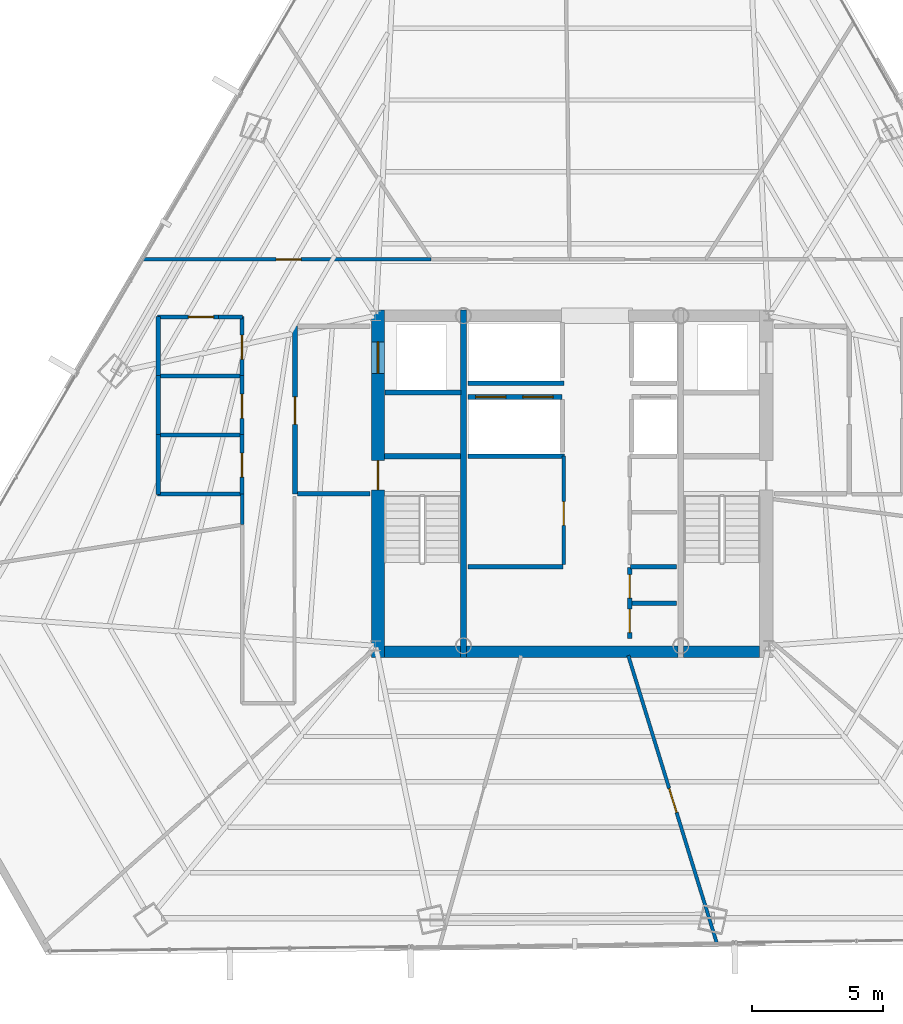
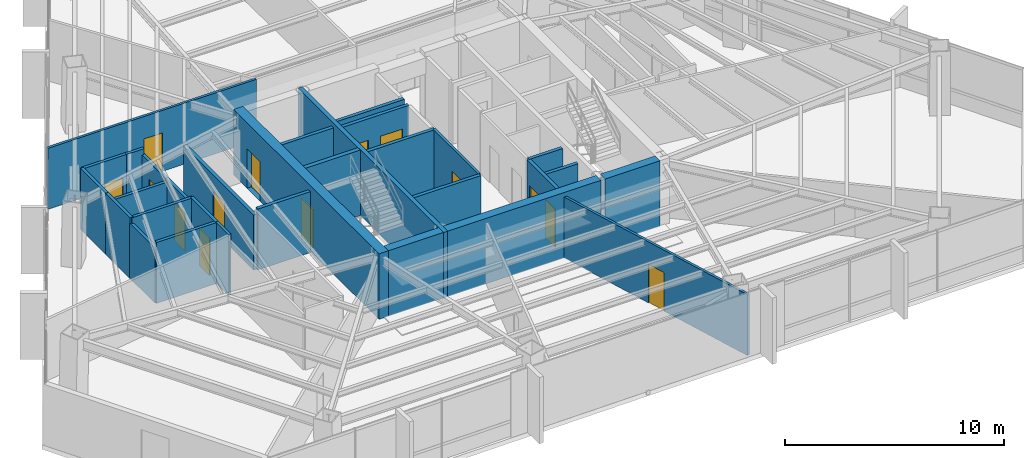
# One storey, part 36 of 41: 31 walls, 14 doors, 14 openings.
"""IFC4 building model written with IfcOpenShell, lengths in metres."""

from ifc_helpers import new_model, si_unit, direction, frame, frame_2d, origin, place, context, subcontext, project, spatial, rectangle, extrude, material, layer, layer_set, type_object, element, fill, save


model = new_model("IFC4")

# Units and contexts
model_context = context("Model", 3, precision=1e-05, world=origin(), true_north=direction((0.0, 1.0)))
body_context = subcontext(model_context, "Body", "Model", "MODEL_VIEW")
ifc_project = project(units=[si_unit("LENGTHUNIT", "METRE"), si_unit("AREAUNIT", "SQUARE_METRE"), si_unit("VOLUMEUNIT", "CUBIC_METRE"), si_unit("PLANEANGLEUNIT", "RADIAN"), si_unit("MASSUNIT", "GRAM", prefix="KILO")], contexts=[model_context])

# Site, building, storey
site_placement = place(None, origin())
site = spatial("IfcSite", under=ifc_project, at=site_placement, CompositionType="ELEMENT")
building_placement = place(site_placement, origin())
building = spatial("IfcBuilding", under=site, at=building_placement, Name="Caelisora Broadcast Tower", CompositionType="ELEMENT")
storey_placement = place(building_placement, frame((0.0, 0.0, 135.449951171875)))
storey = spatial("IfcBuildingStorey", under=building, at=storey_placement, Name="L35", CompositionType="ELEMENT", Elevation=135.449951171875)

# Wall, openings, doors
ifc_material_1 = material(Name="Concrete 50 MPa (AS 3600 S50)", Category="concrete")
ifc_layer_1 = layer(ifc_material_1, 0.5, Name="Concrete 50 MPa (AS 3600 S50)")
ifc_layer_set_1 = layer_set([ifc_layer_1], Name="Concrete 50 MPa (AS 3600 S50)")
wall_type_1 = type_object("IfcWallType", Name="CW2", PredefinedType="SHEAR", material=ifc_layer_set_1)
wall_1_placement = place(storey_placement, frame((30.590087890625, 16.949951171875, 0.0), z_axis=(0.0, 0.0, 1.0), x_axis=(0.0, 1.0, 0.0)))
wall_1 = element("IfcWall", 1, at=wall_1_placement, inside=storey, type_object=wall_type_1, Name="L35 core shear wall CW2", PredefinedType="SHEAR", context=body_context, shape_type="SweptSolid", body=[
    extrude(rectangle(XDim=13.275146484375, YDim=0.5, at=frame_2d((6.6376953125, 0.0))), origin(), (0.0, 0.0, 1.0), 3.650146484375),
])
opening_1_placement = place(wall_1_placement, frame((6.39990234375, 0.0, 0.0)))
opening_1 = element("IfcOpeningElement", 2, at=opening_1_placement, cuts=wall_1, Name="Opening FD04", PredefinedType="OPENING", context=body_context, shape_type="SweptSolid", body=[
    extrude(rectangle(XDim=1.1201171875, YDim=2.14990234375, at=frame_2d((0.56005859375, 1.074951171875))), frame((0.0, 0.261962890625, 0.0), z_axis=(0.0, -1.0, 0.0), x_axis=(1.0, 0.0, 0.0)), (0.0, 0.0, 1.0), 0.52392578125),
])
opening_2_placement = place(wall_1_placement, frame((10.85009765625, 0.0, 0.0)))
opening_2 = element("IfcOpeningElement", 3, at=opening_2_placement, cuts=wall_1, Name="Opening LD04", PredefinedType="OPENING", context=body_context, shape_type="SweptSolid", body=[
    extrude(rectangle(XDim=1.199951171875, YDim=2.199951171875, at=frame_2d((0.60009765625, 1.10009765625))), frame((0.0, 0.261962890625, 0.0), z_axis=(0.0, -1.0, 0.0), x_axis=(1.0, 0.0, 0.0)), (0.0, 0.0, 1.0), 0.52392578125),
])
ifc_material_2 = material(Name="Pressurised Fire-Isolated Stair Door", Category="steel")
door_type_1 = type_object("IfcDoorType", Name="FD04", OperationType="NOTDEFINED", PredefinedType="DOOR", material=ifc_material_2)
door_1_placement = place(opening_1_placement, origin())
door_1 = element("IfcDoor", 4, at=door_1_placement, inside=storey, type_object=door_type_1, Name="L35 door FD04 (L35-DR-ST1)", OperationType="SINGLE_SWING_LEFT", OverallHeight=2.14990234375, OverallWidth=1.1201171875, PredefinedType="DOOR", context=body_context, shape_type="SweptSolid", body=[
    extrude(rectangle(XDim=1.1201171875, YDim=2.14990234375, at=frame_2d((0.56005859375, 1.074951171875))), frame((0.0, 0.02490234375, 0.0), z_axis=(0.0, -1.0, 0.0), x_axis=(1.0, 0.0, 0.0)), (0.0, 0.0, 1.0), 0.050048828125),
])
fill(opening_1, door_1)
ifc_material_3 = material(Name="Emergency Firefighting Lift Sliding Landing Door", Category="steel")
door_type_2 = type_object("IfcDoorType", Name="LD04", OperationType="NOTDEFINED", PredefinedType="DOOR", material=ifc_material_3)
door_2_placement = place(opening_2_placement, origin())
door_2 = element("IfcDoor", 5, at=door_2_placement, inside=storey, type_object=door_type_2, Name="L35 door LD04 (L35-LD-FFL1)", OperationType="SLIDING_TO_LEFT", OverallHeight=2.199951171875, OverallWidth=1.199951171875, PredefinedType="DOOR", context=body_context, shape_type="SweptSolid", body=[
    extrude(rectangle(XDim=1.199951171875, YDim=2.199951171875, at=frame_2d((0.60009765625, 1.10009765625))), frame((0.0, 0.02490234375, 0.0), z_axis=(0.0, -1.0, 0.0), x_axis=(1.0, 0.0, 0.0)), (0.0, 0.0, 1.0), 0.050048828125),
])
fill(opening_2, door_2)

# Walls
ifc_layer_2 = layer(ifc_material_1, 0.449951171875, Name="Concrete 50 MPa (AS 3600 S50)")
ifc_layer_set_2 = layer_set([ifc_layer_2], Name="Concrete 50 MPa (AS 3600 S50)")
wall_type_2 = type_object("IfcWallType", Name="CW5", PredefinedType="SHEAR", material=ifc_layer_set_2)
wall_2_placement = place(storey_placement, frame((30.840087890625, 17.175048828125, 0.0), z_axis=(0.0, 0.0, 1.0), x_axis=(1.0, 0.0, 0.0)))
element("IfcWall", 6, at=wall_2_placement, inside=storey, type_object=wall_type_2, Name="L35 core shear wall CW5", PredefinedType="SHEAR", context=body_context, shape_type="SweptSolid", body=[
    extrude(rectangle(XDim=2.89990234375, YDim=0.449951171875, at=frame_2d((1.449951171875, 0.0))), origin(), (0.0, 0.0, 1.0), 3.650146484375),
])
wall_3_placement = place(storey_placement, frame((33.9599609375, 17.175048828125, 0.0), z_axis=(0.0, 0.0, 1.0), x_axis=(1.0, 0.0, 0.0)))
element("IfcWall", 7, at=wall_3_placement, inside=storey, type_object=wall_type_2, Name="L35 core shear wall CW5", PredefinedType="SHEAR", context=body_context, shape_type="SweptSolid", body=[
    extrude(rectangle(XDim=8.080078125, YDim=0.449951171875, at=frame_2d((4.0400390625, 0.0))), origin(), (0.0, 0.0, 1.0), 3.650146484375),
])
wall_4_placement = place(storey_placement, frame((42.260009765625, 17.175048828125, 0.0), z_axis=(0.0, 0.0, 1.0), x_axis=(1.0, 0.0, 0.0)))
element("IfcWall", 8, at=wall_4_placement, inside=storey, type_object=wall_type_2, Name="L35 core shear wall CW5", PredefinedType="SHEAR", context=body_context, shape_type="SweptSolid", body=[
    extrude(rectangle(XDim=2.89990234375, YDim=0.449951171875, at=frame_2d((1.449951171875, 0.0))), origin(), (0.0, 0.0, 1.0), 3.650146484375),
])
ifc_layer_3 = layer(ifc_material_1, 0.219970703125, Name="Concrete 50 MPa (AS 3600 S50)")
ifc_layer_set_3 = layer_set([ifc_layer_3], Name="Concrete 50 MPa (AS 3600 S50)")
wall_type_3 = type_object("IfcWallType", Name="CW7", PredefinedType="SHEAR", material=ifc_layer_set_3)
wall_5_placement = place(storey_placement, frame((33.85009765625, 16.949951171875, 0.0), z_axis=(0.0, 0.0, 1.0), x_axis=(0.0, 1.0, 0.0)))
element("IfcWall", 9, at=wall_5_placement, inside=storey, type_object=wall_type_3, Name="L35 core shear wall CW7", PredefinedType="SHEAR", context=body_context, shape_type="SweptSolid", body=[
    extrude(rectangle(XDim=13.275146484375, YDim=0.219970703125, at=frame_2d((6.6376953125, 0.0))), origin(), (0.0, 0.0, 1.0), 3.650146484375),
])
wall_6_placement = place(storey_placement, frame((30.840087890625, 24.639892578125, 0.0), z_axis=(0.0, 0.0, 1.0), x_axis=(1.0, 0.0, 0.0)))
element("IfcWall", 10, at=wall_6_placement, inside=storey, type_object=wall_type_3, Name="L35 core shear wall CW7", PredefinedType="SHEAR", context=body_context, shape_type="SweptSolid", body=[
    extrude(rectangle(XDim=2.89990234375, YDim=0.219970703125, at=frame_2d((1.449951171875, 0.0))), origin(), (0.0, 0.0, 1.0), 3.650146484375),
])

# Wall, openings, doors
ifc_material_4 = material(Name="Fire-Rated Gypsum Shaft and Compartment Wall", Category="gypsum")
ifc_layer_4 = layer(ifc_material_4, 0.179931640625, Name="Fire-Rated Gypsum Shaft and Compartment Wall")
ifc_layer_set_4 = layer_set([ifc_layer_4], Name="Fire-Rated Gypsum Shaft and Compartment Wall")
wall_type_4 = type_object("IfcWallType", Name="PW2", PredefinedType="PARTITIONING", material=ifc_layer_set_4)
wall_7_placement = place(storey_placement, frame((34.02001953125, 26.89990234375, 0.0), z_axis=(0.0, 0.0, 1.0), x_axis=(1.0, 0.0, 0.0)))
wall_7 = element("IfcWall", 11, at=wall_7_placement, inside=storey, type_object=wall_type_4, Name="L35 fire compartment wall PW2", PredefinedType="PARTITIONING", context=body_context, shape_type="SweptSolid", body=[
    extrude(rectangle(XDim=3.60009765625, YDim=0.179931640625, at=frame_2d((1.800048828125, 0.0))), origin(), (0.0, 0.0, 1.0), 3.400146484375),
])
opening_3_placement = place(wall_7_placement, frame((0.300048828125, 0.0, 0.0)))
opening_3 = element("IfcOpeningElement", 12, at=opening_3_placement, cuts=wall_7, Name="Opening LD02", PredefinedType="OPENING", context=body_context, shape_type="SweptSolid", body=[
    extrude(rectangle(XDim=1.14990234375, YDim=2.199951171875, at=frame_2d((0.574951171875, 1.10009765625))), frame((0.0, 0.10205078125, 0.0), z_axis=(0.0, -1.0, 0.0), x_axis=(1.0, 0.0, 0.0)), (0.0, 0.0, 1.0), 0.203857421875),
])
opening_4_placement = place(wall_7_placement, frame((2.10009765625, 0.0, 0.0)))
opening_4 = element("IfcOpeningElement", 13, at=opening_4_placement, cuts=wall_7, Name="Opening LD02", PredefinedType="OPENING", context=body_context, shape_type="SweptSolid", body=[
    extrude(rectangle(XDim=1.14990234375, YDim=2.199951171875, at=frame_2d((0.574951171875, 1.10009765625))), frame((0.0, 0.10205078125, 0.0), z_axis=(0.0, -1.0, 0.0), x_axis=(1.0, 0.0, 0.0)), (0.0, 0.0, 1.0), 0.203857421875),
])
ifc_material_5 = material(Name="High-Speed Express Lift Sliding Landing Door", Category="steel")
door_type_3 = type_object("IfcDoorType", Name="LD02", OperationType="NOTDEFINED", PredefinedType="DOOR", material=ifc_material_5)
door_3_placement = place(opening_3_placement, origin())
door_3 = element("IfcDoor", 14, at=door_3_placement, inside=storey, type_object=door_type_3, Name="L35 door LD02 (L35-LD-PLM1)", OperationType="SLIDING_TO_LEFT", OverallHeight=2.199951171875, OverallWidth=1.14990234375, PredefinedType="DOOR", context=body_context, shape_type="SweptSolid", body=[
    extrude(rectangle(XDim=1.14990234375, YDim=2.199951171875, at=frame_2d((0.574951171875, 1.10009765625))), frame((0.0, 0.02490234375, 0.0), z_axis=(0.0, -1.0, 0.0), x_axis=(1.0, 0.0, 0.0)), (0.0, 0.0, 1.0), 0.050048828125),
])
fill(opening_3, door_3)
door_4_placement = place(opening_4_placement, origin())
door_4 = element("IfcDoor", 15, at=door_4_placement, inside=storey, type_object=door_type_3, Name="L35 door LD02 (L35-LD-PLM2)", OperationType="SLIDING_TO_RIGHT", OverallHeight=2.199951171875, OverallWidth=1.14990234375, PredefinedType="DOOR", context=body_context, shape_type="SweptSolid", body=[
    extrude(rectangle(XDim=1.14990234375, YDim=2.199951171875, at=frame_2d((0.574951171875, 1.10009765625))), frame((0.0, 0.02490234375, 0.0), z_axis=(0.0, -1.0, 0.0), x_axis=(1.0, 0.0, 0.0)), (0.0, 0.0, 1.0), 0.050048828125),
])
fill(opening_4, door_4)

# Walls
wall_8_placement = place(storey_placement, frame((34.02001953125, 24.639892578125, 0.0), z_axis=(0.0, 0.0, 1.0), x_axis=(1.0, 0.0, 0.0)))
element("IfcWall", 16, at=wall_8_placement, inside=storey, type_object=wall_type_4, Name="L35 fire compartment wall PW2", PredefinedType="PARTITIONING", context=body_context, shape_type="SweptSolid", body=[
    extrude(rectangle(XDim=3.679931640625, YDim=0.179931640625, at=frame_2d((1.83984375, 0.0))), origin(), (0.0, 0.0, 1.0), 3.400146484375),
])
wall_9_placement = place(storey_placement, frame((34.02001953125, 27.419921875, 0.0), z_axis=(0.0, 0.0, 1.0), x_axis=(1.0, 0.0, 0.0)))
element("IfcWall", 17, at=wall_9_placement, inside=storey, type_object=wall_type_4, Name="L35 fire compartment wall PW2", PredefinedType="PARTITIONING", context=body_context, shape_type="SweptSolid", body=[
    extrude(rectangle(XDim=3.659912109375, YDim=0.179931640625, at=frame_2d((1.830078125, 0.0))), origin(), (0.0, 0.0, 1.0), 3.400146484375),
])

# Wall, opening, door
wall_10_placement = place(storey_placement, frame((27.419921875, 23.199951171875, 0.0), z_axis=(0.0, 0.0, 1.0), x_axis=(0.0, 1.0, 0.0)))
wall_10 = element("IfcWall", 18, at=wall_10_placement, inside=storey, type_object=wall_type_4, Name="L35 fire compartment wall PW2", PredefinedType="PARTITIONING", context=body_context, shape_type="SweptSolid", body=[
    extrude(rectangle(XDim=6.400146484375, YDim=0.179931640625, at=frame_2d((3.2001953125, 0.0))), origin(), (0.0, 0.0, 1.0), 3.077880859375),
])
opening_5_placement = place(wall_10_placement, frame((2.64990234375, 0.0, 0.0)))
opening_5 = element("IfcOpeningElement", 19, at=opening_5_placement, cuts=wall_10, Name="Opening FD02", PredefinedType="OPENING", context=body_context, shape_type="SweptSolid", body=[
    extrude(rectangle(XDim=1.050048828125, YDim=2.14990234375, at=frame_2d((0.52490234375, 1.074951171875))), frame((0.0, 0.10205078125, 0.0), z_axis=(0.0, -1.0, 0.0), x_axis=(1.0, 0.0, 0.0)), (0.0, 0.0, 1.0), 0.203857421875),
])
ifc_material_6 = material(Name="Single-Leaf Steel Fire Lobby Door", Category="steel")
door_type_4 = type_object("IfcDoorType", Name="FD02", OperationType="NOTDEFINED", PredefinedType="DOOR", material=ifc_material_6)
door_5_placement = place(opening_5_placement, origin())
door_5 = element("IfcDoor", 20, at=door_5_placement, inside=storey, type_object=door_type_4, Name="L35 door FD02 (L35-DR-P01D1)", OperationType="SINGLE_SWING_RIGHT", OverallHeight=2.14990234375, OverallWidth=1.050048828125, PredefinedType="DOOR", context=body_context, shape_type="SweptSolid", body=[
    extrude(rectangle(XDim=1.050048828125, YDim=2.14990234375, at=frame_2d((0.52490234375, 1.074951171875))), frame((0.0, 0.02490234375, 0.0), z_axis=(0.0, -1.0, 0.0), x_axis=(1.0, 0.0, 0.0)), (0.0, 0.0, 1.0), 0.050048828125),
])
fill(opening_5, door_5)

# Walls
wall_11_placement = place(storey_placement, frame((27.52001953125, 23.199951171875, 0.0), z_axis=(0.0, 0.0, 1.0), x_axis=(1.0, 0.0, 0.0)))
element("IfcWall", 21, at=wall_11_placement, inside=storey, type_object=wall_type_4, Name="L35 fire compartment wall PW2", PredefinedType="PARTITIONING", context=body_context, shape_type="SweptSolid", body=[
    extrude(rectangle(XDim=2.760009765625, YDim=0.179931640625, at=frame_2d((1.3798828125, 0.0))), origin(), (0.0, 0.0, 1.0), 3.400146484375),
])
wall_12_placement = place(storey_placement, frame((30.860107421875, 27.070068359375, 0.0), z_axis=(0.0, 0.0, 1.0), x_axis=(1.0, 0.0, 0.0)))
element("IfcWall", 22, at=wall_12_placement, inside=storey, type_object=wall_type_4, Name="L35 fire compartment wall PW2", PredefinedType="PARTITIONING", context=body_context, shape_type="SweptSolid", body=[
    extrude(rectangle(XDim=2.89990234375, YDim=0.179931640625, at=frame_2d((1.449951171875, 0.0))), origin(), (0.0, 0.0, 1.0), 3.400146484375),
])
wall_13_placement = place(storey_placement, frame((34.02001953125, 20.419921875, 0.0), z_axis=(0.0, 0.0, 1.0), x_axis=(1.0, 0.0, 0.0)))
element("IfcWall", 23, at=wall_13_placement, inside=storey, type_object=wall_type_4, Name="L35 fire compartment wall PW2", PredefinedType="PARTITIONING", context=body_context, shape_type="SweptSolid", body=[
    extrude(rectangle(XDim=3.639892578125, YDim=0.179931640625, at=frame_2d((1.81982421875, 0.0))), origin(), (0.0, 0.0, 1.0), 3.400146484375),
])
wall_14_placement = place(storey_placement, frame((40.219970703125, 20.419921875, 0.0), z_axis=(0.0, 0.0, 1.0), x_axis=(1.0, 0.0, 0.0)))
element("IfcWall", 24, at=wall_14_placement, inside=storey, type_object=wall_type_4, Name="L35 fire compartment wall PW2", PredefinedType="PARTITIONING", context=body_context, shape_type="SweptSolid", body=[
    extrude(rectangle(XDim=1.760009765625, YDim=0.179931640625, at=frame_2d((0.8798828125, 0.0))), origin(), (0.0, 0.0, 1.0), 3.400146484375),
])
wall_15_placement = place(storey_placement, frame((40.280029296875, 19.02001953125, 0.0), z_axis=(0.0, 0.0, 1.0), x_axis=(1.0, 0.0, 0.0)))
element("IfcWall", 25, at=wall_15_placement, inside=storey, type_object=wall_type_4, Name="L35 fire compartment wall PW2", PredefinedType="PARTITIONING", context=body_context, shape_type="SweptSolid", body=[
    extrude(rectangle(XDim=1.699951171875, YDim=0.179931640625, at=frame_2d((0.85009765625, 0.0))), origin(), (0.0, 0.0, 1.0), 3.400146484375),
])

# Wall, openings, doors
wall_16_placement = place(storey_placement, frame((40.199951171875, 17.679931640625, 0.0), z_axis=(0.0, 0.0, 1.0), x_axis=(0.0, 1.0, 0.0)))
wall_16 = element("IfcWall", 26, at=wall_16_placement, inside=storey, type_object=wall_type_4, Name="L35 fire compartment wall PW2", PredefinedType="PARTITIONING", context=body_context, shape_type="SweptSolid", body=[
    extrude(rectangle(XDim=2.699951171875, YDim=0.179931640625, at=frame_2d((1.35009765625, 0.0))), origin(), (0.0, 0.0, 1.0), 3.400146484375),
])
opening_6_placement = place(wall_16_placement, frame((0.219970703125, 0.0, 0.0)))
opening_6 = element("IfcOpeningElement", 27, at=opening_6_placement, cuts=wall_16, Name="Opening FD03", PredefinedType="OPENING", context=body_context, shape_type="SweptSolid", body=[
    extrude(rectangle(XDim=0.89990234375, YDim=2.10009765625, at=frame_2d((0.449951171875, 1.050048828125))), frame((0.0, 0.10205078125, 0.0), z_axis=(0.0, -1.0, 0.0), x_axis=(1.0, 0.0, 0.0)), (0.0, 0.0, 1.0), 0.203857421875),
])
opening_7_placement = place(wall_16_placement, frame((1.5400390625, 0.0, 0.0)))
opening_7 = element("IfcOpeningElement", 28, at=opening_7_placement, cuts=wall_16, Name="Opening FD03", PredefinedType="OPENING", context=body_context, shape_type="SweptSolid", body=[
    extrude(rectangle(XDim=0.89990234375, YDim=2.10009765625, at=frame_2d((0.449951171875, 1.050048828125))), frame((0.0, 0.10205078125, 0.0), z_axis=(0.0, -1.0, 0.0), x_axis=(1.0, 0.0, 0.0)), (0.0, 0.0, 1.0), 0.203857421875),
])
ifc_material_7 = material(Name="Single-Leaf Steel Riser Fire Access Door", Category="steel")
door_type_5 = type_object("IfcDoorType", Name="FD03", OperationType="NOTDEFINED", PredefinedType="DOOR", material=ifc_material_7)
door_6_placement = place(opening_6_placement, origin())
door_6 = element("IfcDoor", 29, at=door_6_placement, inside=storey, type_object=door_type_5, Name="L35 door FD03 (L35-DR-P15D1)", OperationType="SINGLE_SWING_LEFT", OverallHeight=2.10009765625, OverallWidth=0.89990234375, PredefinedType="DOOR", context=body_context, shape_type="SweptSolid", body=[
    extrude(rectangle(XDim=0.89990234375, YDim=2.10009765625, at=frame_2d((0.449951171875, 1.050048828125))), frame((0.0, 0.02490234375, 0.0), z_axis=(0.0, -1.0, 0.0), x_axis=(1.0, 0.0, 0.0)), (0.0, 0.0, 1.0), 0.050048828125),
])
fill(opening_6, door_6)
door_7_placement = place(opening_7_placement, origin())
door_7 = element("IfcDoor", 30, at=door_7_placement, inside=storey, type_object=door_type_5, Name="L35 door FD03 (L35-DR-P15D2)", OperationType="SINGLE_SWING_RIGHT", OverallHeight=2.10009765625, OverallWidth=0.89990234375, PredefinedType="DOOR", context=body_context, shape_type="SweptSolid", body=[
    extrude(rectangle(XDim=0.89990234375, YDim=2.10009765625, at=frame_2d((0.449951171875, 1.050048828125))), frame((0.0, 0.02490234375, 0.0), z_axis=(0.0, -1.0, 0.0), x_axis=(1.0, 0.0, 0.0)), (0.0, 0.0, 1.0), 0.050048828125),
])
fill(opening_7, door_7)

# Wall, opening, door
ifc_material_8 = material(Name="Acoustic Steel-Stud Plasterboard Partition", Category="gypsum")
ifc_layer_5 = layer(ifc_material_8, 0.1298828125, Name="Acoustic Steel-Stud Plasterboard Partition")
ifc_layer_set_5 = layer_set([ifc_layer_5], Name="Acoustic Steel-Stud Plasterboard Partition")
wall_type_5 = type_object("IfcWallType", Name="PW3", PredefinedType="PARTITIONING", material=ifc_layer_set_5)
wall_17_placement = place(storey_placement, frame((37.679931640625, 20.5, 0.0), z_axis=(0.0, 0.0, 1.0), x_axis=(0.0, 1.0, 0.0)))
wall_17 = element("IfcWall", 31, at=wall_17_placement, inside=storey, type_object=wall_type_5, Name="L35 internal partition PW3", PredefinedType="PARTITIONING", context=body_context, shape_type="SweptSolid", body=[
    extrude(rectangle(XDim=4.139892578125, YDim=0.1298828125, at=frame_2d((2.06982421875, 0.0))), origin(), (0.0, 0.0, 1.0), 3.400146484375),
])
opening_8_placement = place(wall_17_placement, frame((1.5, 0.0, 0.0)))
opening_8 = element("IfcOpeningElement", 32, at=opening_8_placement, cuts=wall_17, Name="Opening FD03", PredefinedType="OPENING", context=body_context, shape_type="SweptSolid", body=[
    extrude(rectangle(XDim=0.89990234375, YDim=2.10009765625, at=frame_2d((0.449951171875, 1.050048828125))), frame((0.0, 0.076904296875, 0.0), z_axis=(0.0, -1.0, 0.0), x_axis=(1.0, 0.0, 0.0)), (0.0, 0.0, 1.0), 0.15380859375),
])
door_8_placement = place(opening_8_placement, origin())
door_8 = element("IfcDoor", 33, at=door_8_placement, inside=storey, type_object=door_type_5, Name="L35 door FD03 (L35-DR-P12D1)", OperationType="SINGLE_SWING_RIGHT", OverallHeight=2.10009765625, OverallWidth=0.89990234375, PredefinedType="DOOR", context=body_context, shape_type="SweptSolid", body=[
    extrude(rectangle(XDim=0.89990234375, YDim=2.10009765625, at=frame_2d((0.449951171875, 1.050048828125))), frame((0.0, 0.02490234375, 0.0), z_axis=(0.0, -1.0, 0.0), x_axis=(1.0, 0.0, 0.0)), (0.0, 0.0, 1.0), 0.050048828125),
])
fill(opening_8, door_8)

wall_18_placement = place(storey_placement, frame((40.14208984375, 17.028076171875, 0.0), z_axis=(0.0, 0.0, 1.0), x_axis=(0.294275666781, -0.955720582566, 0.0)))
wall_18 = element("IfcWall", 34, at=wall_18_placement, inside=storey, type_object=wall_type_5, Name="L35 internal partition PW3", PredefinedType="PARTITIONING", context=body_context, shape_type="SweptSolid", body=[
    extrude(rectangle(XDim=11.47802734375, YDim=0.1298828125, at=frame_2d((5.739013671875, 0.0))), origin(), (0.0, 0.0, 1.0), 3.400146484375),
])
opening_9_placement = place(wall_18_placement, frame((5.31005859375, 0.0, 0.0)))
opening_9 = element("IfcOpeningElement", 35, at=opening_9_placement, cuts=wall_18, Name="Opening D01", PredefinedType="OPENING", context=body_context, shape_type="SweptSolid", body=[
    extrude(rectangle(XDim=0.9599609375, YDim=2.14990234375, at=frame_2d((0.47998046875, 1.074951171875))), frame((0.0, 0.076904296875, 0.0), z_axis=(0.0, -1.0, 0.0), x_axis=(1.0, 0.0, 0.0)), (0.0, 0.0, 1.0), 0.15380859375),
])
ifc_material_9 = material(Name="Solid-Core Timber Acoustic Office Door", Category="wood")
door_type_6 = type_object("IfcDoorType", Name="D01", OperationType="NOTDEFINED", PredefinedType="DOOR", material=ifc_material_9)
door_9_placement = place(opening_9_placement, origin())
door_9 = element("IfcDoor", 36, at=door_9_placement, inside=storey, type_object=door_type_6, Name="L35 door D01 (L35-DR-P32D1)", OperationType="SINGLE_SWING_LEFT", OverallHeight=2.14990234375, OverallWidth=0.9599609375, PredefinedType="DOOR", context=body_context, shape_type="SweptSolid", body=[
    extrude(rectangle(XDim=0.9599609375, YDim=2.14990234375, at=frame_2d((0.47998046875, 1.074951171875))), frame((0.0, 0.02490234375, 0.0), z_axis=(0.0, -1.0, 0.0), x_axis=(1.0, 0.0, 0.0)), (0.0, 0.0, 1.0), 0.050048828125),
])
fill(opening_9, door_9)

wall_19_placement = place(storey_placement, frame((21.629150390625, 32.14990234375, 0.0), z_axis=(0.0, 0.0, 1.0), x_axis=(1.0, 0.0, 0.0)))
wall_19 = element("IfcWall", 37, at=wall_19_placement, inside=storey, type_object=wall_type_5, Name="L35 internal partition PW3", PredefinedType="PARTITIONING", context=body_context, shape_type="SweptSolid", body=[
    extrude(rectangle(XDim=10.98583984375, YDim=0.1298828125, at=frame_2d((5.492919921875, 0.0))), origin(), (0.0, 0.0, 1.0), 3.400146484375),
])
opening_10_placement = place(wall_19_placement, frame((5.068115234375, 0.0, 0.0)))
opening_10 = element("IfcOpeningElement", 38, at=opening_10_placement, cuts=wall_19, Name="Opening D01", PredefinedType="OPENING", context=body_context, shape_type="SweptSolid", body=[
    extrude(rectangle(XDim=0.9599609375, YDim=2.14990234375, at=frame_2d((0.47998046875, 1.074951171875))), frame((0.0, 0.076904296875, 0.0), z_axis=(0.0, -1.0, 0.0), x_axis=(1.0, 0.0, 0.0)), (0.0, 0.0, 1.0), 0.15380859375),
])
door_10_placement = place(opening_10_placement, origin())
door_10 = element("IfcDoor", 39, at=door_10_placement, inside=storey, type_object=door_type_6, Name="L35 door D01 (L35-DR-P33D1)", OperationType="SINGLE_SWING_RIGHT", OverallHeight=2.14990234375, OverallWidth=0.9599609375, PredefinedType="DOOR", context=body_context, shape_type="SweptSolid", body=[
    extrude(rectangle(XDim=0.9599609375, YDim=2.14990234375, at=frame_2d((0.47998046875, 1.074951171875))), frame((0.0, 0.02490234375, 0.0), z_axis=(0.0, -1.0, 0.0), x_axis=(1.0, 0.0, 0.0)), (0.0, 0.0, 1.0), 0.050048828125),
])
fill(opening_10, door_10)

# Walls
wall_20_placement = place(storey_placement, frame((25.39990234375, 22.02490234375, 0.0), z_axis=(0.0, 0.0, 1.0), x_axis=(0.0, 1.0, 0.0)))
element("IfcWall", 40, at=wall_20_placement, inside=storey, type_object=wall_type_5, Name="L35 internal partition PW3", PredefinedType="PARTITIONING", context=body_context, shape_type="SweptSolid", body=[
    extrude(rectangle(XDim=1.170166015625, YDim=0.1298828125, at=frame_2d((0.5849609375, 0.0))), origin(), (0.0, 0.0, 1.0), 3.400146484375),
])
ifc_material_10 = material(Name="Moisture-Resistant Wet Plumbing Service Wall", Category="gypsum")
ifc_layer_6 = layer(ifc_material_10, 0.159912109375, Name="Moisture-Resistant Wet Plumbing Service Wall")
ifc_layer_set_6 = layer_set([ifc_layer_6], Name="Moisture-Resistant Wet Plumbing Service Wall")
wall_type_6 = type_object("IfcWallType", Name="PW4", PredefinedType="PLUMBINGWALL", material=ifc_layer_set_6)
for number, where, z_axis, x_axis, name in (
    (41, (22.175048828125, 23.199951171875, 0.0), (0.0, 0.0, 1.0), (1.0, 0.0, 0.0), "L35 wet plumbing wall PW4"),
    (42, (22.175048828125, 25.449951171875, 0.0), (0.0, 0.0, 1.0), (1.0, 0.0, 0.0), "L35 wet plumbing wall PW4"),
):
    element("IfcWall", number, at=place(storey_placement, frame(where, z_axis=z_axis, x_axis=x_axis)), inside=storey, type_object=wall_type_6, Name=name, PredefinedType="PLUMBINGWALL", context=body_context, shape_type="SweptSolid", body=[
        extrude(rectangle(XDim=3.25, YDim=0.159912109375, at=frame_2d((1.625, 0.0))), origin(), (0.0, 0.0, 1.0), 3.400146484375),
    ])
wall_21_placement = place(storey_placement, frame((22.175048828125, 27.699951171875, 0.0), z_axis=(0.0, 0.0, 1.0), x_axis=(1.0, 0.0, 0.0)))
element("IfcWall", 43, at=wall_21_placement, inside=storey, type_object=wall_type_6, Name="L35 wet plumbing wall PW4", PredefinedType="PLUMBINGWALL", context=body_context, shape_type="SweptSolid", body=[
    extrude(rectangle(XDim=3.25, YDim=0.159912109375, at=frame_2d((1.625, 0.0))), origin(), (0.0, 0.0, 1.0), 2.924560546875),
])

# Wall, opening, door
wall_22_placement = place(storey_placement, frame((22.175048828125, 29.949951171875, 0.0), z_axis=(0.0, 0.0, 1.0), x_axis=(1.0, 0.0, 0.0)))
wall_22 = element("IfcWall", 44, at=wall_22_placement, inside=storey, type_object=wall_type_6, Name="L35 wet plumbing wall PW4", PredefinedType="PLUMBINGWALL", context=body_context, shape_type="SweptSolid", body=[
    extrude(rectangle(XDim=2.369873046875, YDim=0.159912109375, at=frame_2d((1.18505859375, 0.0))), origin(), (0.0, 0.0, 1.0), 3.400146484375),
])
opening_11_placement = place(wall_22_placement, frame((1.179931640625, 0.0, 0.0)))
opening_11 = element("IfcOpeningElement", 45, at=opening_11_placement, cuts=wall_22, Name="Opening D01", PredefinedType="OPENING", context=body_context, shape_type="SweptSolid", body=[
    extrude(rectangle(XDim=0.9599609375, YDim=2.14990234375, at=frame_2d((0.47998046875, 1.074951171875))), frame((0.0, 0.092041015625, 0.0), z_axis=(0.0, -1.0, 0.0), x_axis=(1.0, 0.0, 0.0)), (0.0, 0.0, 1.0), 0.183837890625),
])
door_11_placement = place(opening_11_placement, origin())
door_11 = element("IfcDoor", 46, at=door_11_placement, inside=storey, type_object=door_type_6, Name="L35 door D01 (L35-DR-RSC01)", OperationType="SINGLE_SWING_RIGHT", OverallHeight=2.14990234375, OverallWidth=0.9599609375, PredefinedType="DOOR", context=body_context, shape_type="SweptSolid", body=[
    extrude(rectangle(XDim=0.9599609375, YDim=2.14990234375, at=frame_2d((0.47998046875, 1.074951171875))), frame((0.0, 0.02490234375, 0.0), z_axis=(0.0, -1.0, 0.0), x_axis=(1.0, 0.0, 0.0)), (0.0, 0.0, 1.0), 0.050048828125),
])
fill(opening_11, door_11)

wall_23_placement = place(storey_placement, frame((25.39990234375, 23.175048828125, 0.0), z_axis=(0.0, 0.0, 1.0), x_axis=(0.0, 1.0, 0.0)))
wall_23 = element("IfcWall", 47, at=wall_23_placement, inside=storey, type_object=wall_type_6, Name="L35 wet plumbing wall PW4", PredefinedType="PLUMBINGWALL", context=body_context, shape_type="SweptSolid", body=[
    extrude(rectangle(XDim=2.300048828125, YDim=0.159912109375, at=frame_2d((1.14990234375, 0.0))), origin(), (0.0, 0.0, 1.0), 3.400146484375),
])
opening_12_placement = place(wall_23_placement, frame((0.659912109375, 0.0, 0.0)))
opening_12 = element("IfcOpeningElement", 48, at=opening_12_placement, cuts=wall_23, Name="Opening D03", PredefinedType="OPENING", context=body_context, shape_type="SweptSolid", body=[
    extrude(rectangle(XDim=0.919921875, YDim=2.10009765625, at=frame_2d((0.4599609375, 1.050048828125))), frame((0.0, 0.092041015625, 0.0), z_axis=(0.0, -1.0, 0.0), x_axis=(1.0, 0.0, 0.0)), (0.0, 0.0, 1.0), 0.183837890625),
])
ifc_material_11 = material(Name="Laminate Moisture-Resistant Amenity WC Door", Category="wood")
door_type_7 = type_object("IfcDoorType", Name="D03", OperationType="NOTDEFINED", PredefinedType="DOOR", material=ifc_material_11)
door_12_placement = place(opening_12_placement, origin())
door_12 = element("IfcDoor", 49, at=door_12_placement, inside=storey, type_object=door_type_7, Name="L35 door D03 (L35-DR-P20D1)", OperationType="SINGLE_SWING_LEFT", OverallHeight=2.10009765625, OverallWidth=0.919921875, PredefinedType="DOOR", context=body_context, shape_type="SweptSolid", body=[
    extrude(rectangle(XDim=0.919921875, YDim=2.10009765625, at=frame_2d((0.4599609375, 1.050048828125))), frame((0.0, 0.02490234375, 0.0), z_axis=(0.0, -1.0, 0.0), x_axis=(1.0, 0.0, 0.0)), (0.0, 0.0, 1.0), 0.050048828125),
])
fill(opening_12, door_12)

wall_24_placement = place(storey_placement, frame((25.39990234375, 25.425048828125, 0.0), z_axis=(0.0, 0.0, 1.0), x_axis=(0.0, 1.0, 0.0)))
wall_24 = element("IfcWall", 50, at=wall_24_placement, inside=storey, type_object=wall_type_6, Name="L35 wet plumbing wall PW4", PredefinedType="PLUMBINGWALL", context=body_context, shape_type="SweptSolid", body=[
    extrude(rectangle(XDim=2.300048828125, YDim=0.159912109375, at=frame_2d((1.14990234375, 0.0))), origin(), (0.0, 0.0, 1.0), 3.077880859375),
])
opening_13_placement = place(wall_24_placement, frame((0.659912109375, 0.0, 0.0)))
opening_13 = element("IfcOpeningElement", 51, at=opening_13_placement, cuts=wall_24, Name="Opening D03", PredefinedType="OPENING", context=body_context, shape_type="SweptSolid", body=[
    extrude(rectangle(XDim=0.919921875, YDim=2.10009765625, at=frame_2d((0.4599609375, 1.050048828125))), frame((0.0, 0.092041015625, 0.0), z_axis=(0.0, -1.0, 0.0), x_axis=(1.0, 0.0, 0.0)), (0.0, 0.0, 1.0), 0.183837890625),
])
door_13_placement = place(opening_13_placement, origin())
door_13 = element("IfcDoor", 52, at=door_13_placement, inside=storey, type_object=door_type_7, Name="L35 door D03 (L35-DR-P21D1)", OperationType="SINGLE_SWING_RIGHT", OverallHeight=2.10009765625, OverallWidth=0.919921875, PredefinedType="DOOR", context=body_context, shape_type="SweptSolid", body=[
    extrude(rectangle(XDim=0.919921875, YDim=2.10009765625, at=frame_2d((0.4599609375, 1.050048828125))), frame((0.0, 0.02490234375, 0.0), z_axis=(0.0, -1.0, 0.0), x_axis=(1.0, 0.0, 0.0)), (0.0, 0.0, 1.0), 0.050048828125),
])
fill(opening_13, door_13)

wall_25_placement = place(storey_placement, frame((25.39990234375, 27.675048828125, 0.0), z_axis=(0.0, 0.0, 1.0), x_axis=(0.0, 1.0, 0.0)))
wall_25 = element("IfcWall", 53, at=wall_25_placement, inside=storey, type_object=wall_type_6, Name="L35 wet plumbing wall PW4", PredefinedType="PLUMBINGWALL", context=body_context, shape_type="SweptSolid", body=[
    extrude(rectangle(XDim=2.300048828125, YDim=0.159912109375, at=frame_2d((1.14990234375, 0.0))), origin(), (0.0, 0.0, 1.0), 3.077880859375),
])
opening_14_placement = place(wall_25_placement, frame((0.659912109375, 0.0, 0.0)))
opening_14 = element("IfcOpeningElement", 54, at=opening_14_placement, cuts=wall_25, Name="Opening D03", PredefinedType="OPENING", context=body_context, shape_type="SweptSolid", body=[
    extrude(rectangle(XDim=0.919921875, YDim=2.10009765625, at=frame_2d((0.4599609375, 1.050048828125))), frame((0.0, 0.092041015625, 0.0), z_axis=(0.0, -1.0, 0.0), x_axis=(1.0, 0.0, 0.0)), (0.0, 0.0, 1.0), 0.183837890625),
])
door_14_placement = place(opening_14_placement, origin())
door_14 = element("IfcDoor", 55, at=door_14_placement, inside=storey, type_object=door_type_7, Name="L35 door D03 (L35-DR-P22D1)", OperationType="SINGLE_SWING_LEFT", OverallHeight=2.10009765625, OverallWidth=0.919921875, PredefinedType="DOOR", context=body_context, shape_type="SweptSolid", body=[
    extrude(rectangle(XDim=0.919921875, YDim=2.10009765625, at=frame_2d((0.4599609375, 1.050048828125))), frame((0.0, 0.02490234375, 0.0), z_axis=(0.0, -1.0, 0.0), x_axis=(1.0, 0.0, 0.0)), (0.0, 0.0, 1.0), 0.050048828125),
])
fill(opening_14, door_14)

# Walls
wall_26_placement = place(storey_placement, frame((22.199951171875, 25.47509765625, 0.0), z_axis=(0.0, 0.0, 1.0), x_axis=(0.0, -1.0, 0.0)))
element("IfcWall", 56, at=wall_26_placement, inside=storey, type_object=wall_type_6, Name="L35 wet plumbing wall PW4", PredefinedType="PLUMBINGWALL", context=body_context, shape_type="SweptSolid", body=[
    extrude(rectangle(XDim=2.300048828125, YDim=0.159912109375, at=frame_2d((1.14990234375, 0.0))), origin(), (0.0, 0.0, 1.0), 3.077880859375),
])
for number, where, z_axis, x_axis, name in (
    (57, (22.199951171875, 25.425048828125, 0.0), (0.0, 0.0, 1.0), (0.0, 1.0, 0.0), "L35 wet plumbing wall PW4"),
    (58, (22.199951171875, 27.675048828125, 0.0), (0.0, 0.0, 1.0), (0.0, 1.0, 0.0), "L35 wet plumbing wall PW4"),
):
    element("IfcWall", number, at=place(storey_placement, frame(where, z_axis=z_axis, x_axis=x_axis)), inside=storey, type_object=wall_type_6, Name=name, PredefinedType="PLUMBINGWALL", context=body_context, shape_type="SweptSolid", body=[
        extrude(rectangle(XDim=2.300048828125, YDim=0.159912109375, at=frame_2d((1.14990234375, 0.0))), origin(), (0.0, 0.0, 1.0), 3.400146484375),
    ])
wall_27_placement = place(storey_placement, frame((24.4951171875, 29.949951171875, 0.0), z_axis=(0.0, 0.0, 1.0), x_axis=(1.0, 0.0, 0.0)))
element("IfcWall", 59, at=wall_27_placement, inside=storey, type_object=wall_type_6, Name="L35 wet plumbing wall PW4", PredefinedType="PLUMBINGWALL", context=body_context, shape_type="SweptSolid", body=[
    extrude(rectangle(XDim=0.929931640625, YDim=0.159912109375, at=frame_2d((0.46484375, 0.0))), origin(), (0.0, 0.0, 1.0), 3.400146484375),
])

save(model, "model.ifc")
